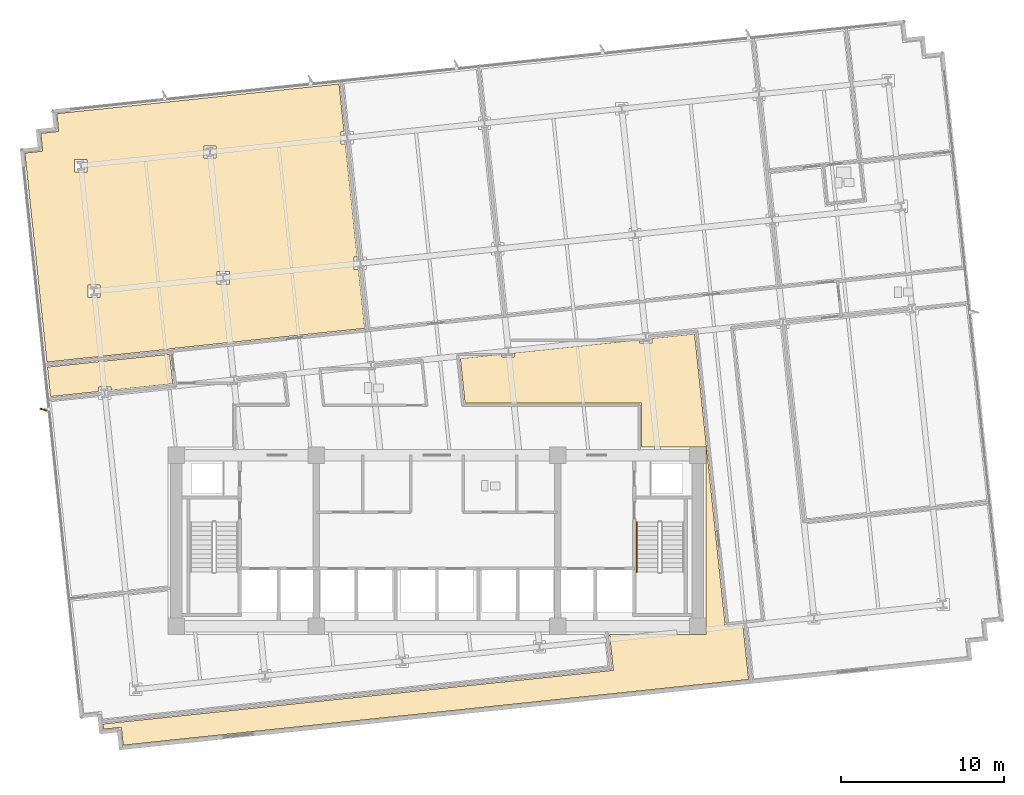
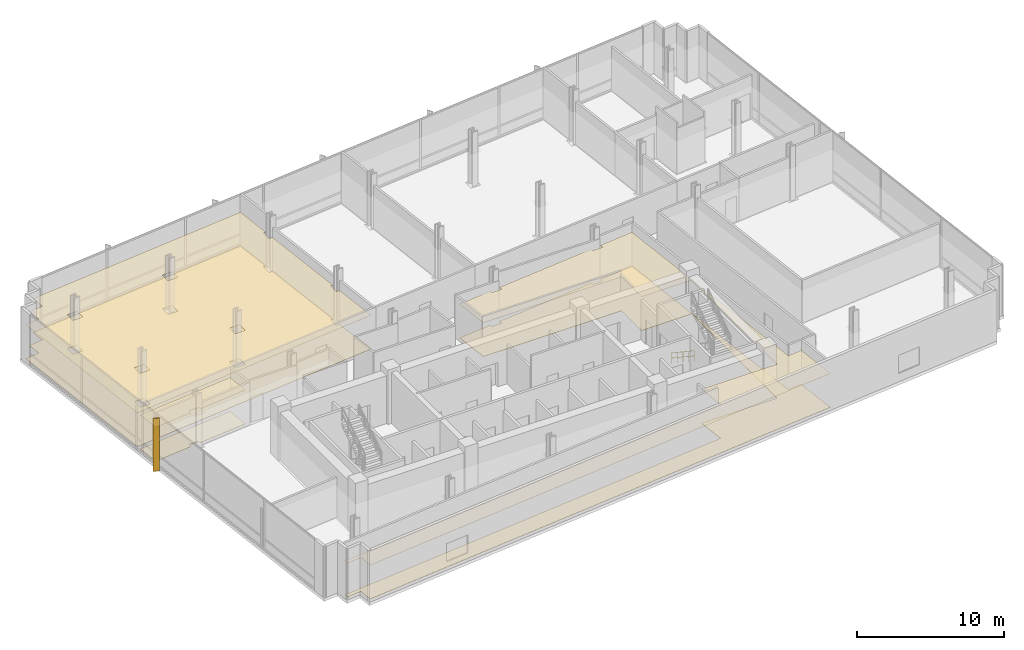
# One storey, part 17 of 20: 6 coverings, 1 railing, 1 shading device.
"""IFC4 building model written with IfcOpenShell, lengths in metres."""

from ifc_helpers import new_model, si_unit, direction, frame, origin, origin_2d, place, context, subcontext, project, spatial, polyline, rectangle, circle, outline, extrude, material, layer, layer_set, type_object, element, save


model = new_model("IFC4")

# Units and contexts
model_context = context("Model", 3, precision=1e-05, world=origin(), true_north=direction((0.0, 1.0)))
body_context = subcontext(model_context, "Body", "Model", "MODEL_VIEW")
ifc_project = project(units=[si_unit("LENGTHUNIT", "METRE"), si_unit("AREAUNIT", "SQUARE_METRE"), si_unit("VOLUMEUNIT", "CUBIC_METRE"), si_unit("PLANEANGLEUNIT", "RADIAN"), si_unit("MASSUNIT", "GRAM", prefix="KILO")], contexts=[model_context])

# Site, building, storey
site_placement = place(None, origin())
site = spatial("IfcSite", under=ifc_project, at=site_placement, CompositionType="ELEMENT")
building_placement = place(site_placement, origin())
building = spatial("IfcBuilding", under=site, at=building_placement, Name="Solmavex Isthmus Hotel", CompositionType="ELEMENT")
storey_placement = place(building_placement, frame((0.0, 0.0, 101.85009765625)))
storey = spatial("IfcBuildingStorey", under=building, at=storey_placement, Name="L27", CompositionType="ELEMENT", Elevation=101.85009765625)

# Coverings
ifc_material_1 = material(Name="Gypsum plasterboard lining", Category="gypsum")
ifc_layer_1 = layer(ifc_material_1, 0.030029296875)
ifc_layer_set_1 = layer_set([ifc_layer_1], Name="Gypsum plasterboard lining")
covering_type_1 = type_object("IfcCoveringType", Name="COV-CEIL-GYP", PredefinedType="CEILING", material=ifc_layer_set_1)
covering_1_placement = place(storey_placement, frame((0.0, 0.0, 2.7998046875)))
element("IfcCovering", 1, at=covering_1_placement, inside=storey, type_object=covering_type_1, Name="Suspended Acoustic Ceiling L27-RM01", PredefinedType="CEILING", context=body_context, shape_type="SweptSolid", body=[
    extrude(outline(polyline([(-16.43212890625, 3.99853515625), (-16.43408203125, 4.0185546875), (-4.434326171875, 5.27978515625), (-4.8134765625, 8.886962890625), (-5.077392578125, 8.886962890625), (-5.077392578125, 9.64697265625), (-4.893310546875, 9.64697265625), (-5.623779296875, 16.5966796875), (-5.8876953125, 16.5966796875), (-5.8876953125, 17.356689453125), (-5.70361328125, 17.356689453125), (-6.009521484375, 20.26708984375), (-22.49755859375, 18.5341796875), (-23.318115234375, 18.447998046875), (-23.203125, 17.35400390625), (-24.297119140625, 17.239013671875), (-24.18212890625, 16.14501953125), (-25.276123046875, 16.030029296875), (-25.18994140625, 15.20947265625), (-23.9287109375, 3.210693359375), (-16.43212890625, 3.99853515625)]), holes=[polyline([(-13.4970703125, 8.002197265625), (-13.4970703125, 8.76220703125), (-12.737060546875, 8.76220703125), (-12.737060546875, 8.002197265625), (-13.4970703125, 8.002197265625)]), polyline([(-14.307373046875, 16.4716796875), (-13.54736328125, 16.4716796875), (-13.54736328125, 15.711669921875), (-14.307373046875, 15.711669921875), (-14.307373046875, 16.4716796875)]), polyline([(-21.42138671875, 7.169189453125), (-21.42138671875, 7.92919921875), (-20.661376953125, 7.92919921875), (-20.661376953125, 7.169189453125), (-21.42138671875, 7.169189453125)]), polyline([(-22.231689453125, 14.878662109375), (-22.231689453125, 15.638671875), (-21.4716796875, 15.638671875), (-21.4716796875, 14.878662109375), (-22.231689453125, 14.878662109375)])]), origin(), (0.0, 0.0, 1.0), 0.030029296875),
])
covering_2_placement = place(storey_placement, frame((0.0, 0.0, 2.7998046875)))
element("IfcCovering", 2, at=covering_2_placement, inside=storey, type_object=covering_type_1, Name="Suspended Acoustic Ceiling L27-FL07", PredefinedType="CEILING", context=body_context, shape_type="SweptSolid", body=[
    extrude(outline(polyline([(-16.20947265625, 1.88037109375), (-16.399658203125, 3.690185546875), (-23.896240234375, 2.90234375), (-23.7060546875, 1.09228515625), (-20.76318359375, 1.401611328125), (-20.76318359375, 1.665771484375), (-20.003173828125, 1.665771484375), (-20.003173828125, 1.4814453125), (-16.20947265625, 1.88037109375)])), origin(), (0.0, 0.0, 1.0), 0.030029296875),
])
covering_3_placement = place(storey_placement, frame((0.0, 0.0, 2.7998046875)))
element("IfcCovering", 3, at=covering_3_placement, inside=storey, type_object=covering_type_1, Name="Suspended Acoustic Ceiling L27-FL11", PredefinedType="CEILING", context=body_context, shape_type="SweptSolid", body=[
    extrude(outline(polyline([(4.760498046875, 3.7724609375), (4.760498046875, 3.508544921875), (4.00048828125, 3.508544921875), (4.00048828125, 3.692626953125), (1.43505859375, 3.423095703125), (1.720703125, 0.705078125), (12.554931640625, 0.705078125), (12.554931640625, -1.9951171875), (16.5048828125, -1.9951171875), (16.5048828125, -13.5048828125), (10.587646484375, -13.5048828125), (10.818359375, -15.700927734375), (-20.4892578125, -18.991455078125), (-20.455810546875, -19.3095703125), (-19.36181640625, -19.194580078125), (-19.246826171875, -20.28857421875), (-18.42626953125, -20.202392578125), (10.812744140625, -17.12939453125), (19.112060546875, -16.257080078125), (18.947265625, -14.690673828125), (18.759765625, -12.905517578125), (17.6845703125, -13.0185546875), (15.7978515625, 4.9326171875), (13.18017578125, 4.657470703125), (13.18017578125, 4.393310546875), (12.420166015625, 4.393310546875), (12.420166015625, 4.57763671875), (4.760498046875, 3.7724609375)])), origin(), (0.0, 0.0, 1.0), 0.030029296875),
])
ifc_material_2 = material(Name="Travertine natural stone", Category="masonry")
ifc_layer_2 = layer(ifc_material_2, 0.02490234375)
ifc_layer_set_2 = layer_set([ifc_layer_2], Name="Travertine natural stone")
covering_type_2 = type_object("IfcCoveringType", Name="COV-FLOR-STN", PredefinedType="FLOORING", material=ifc_layer_set_2)
covering_4_placement = place(storey_placement, origin())
element("IfcCovering", 4, at=covering_4_placement, inside=storey, type_object=covering_type_2, Name="Stone and Timber Floor Finish L27-RM01", PredefinedType="FLOORING", context=body_context, shape_type="SweptSolid", body=[
    extrude(outline(polyline([(-16.43212890625, 3.99853515625), (-16.43408203125, 4.0185546875), (-4.434326171875, 5.27978515625), (-4.8134765625, 8.886962890625), (-5.077392578125, 8.886962890625), (-5.077392578125, 9.64697265625), (-4.893310546875, 9.64697265625), (-5.623779296875, 16.5966796875), (-5.8876953125, 16.5966796875), (-5.8876953125, 17.356689453125), (-5.70361328125, 17.356689453125), (-6.009521484375, 20.26708984375), (-22.49755859375, 18.5341796875), (-23.318115234375, 18.447998046875), (-23.203125, 17.35400390625), (-24.297119140625, 17.239013671875), (-24.18212890625, 16.14501953125), (-25.276123046875, 16.030029296875), (-25.18994140625, 15.20947265625), (-23.9287109375, 3.210693359375), (-16.43212890625, 3.99853515625)]), holes=[polyline([(-13.4970703125, 8.002197265625), (-13.4970703125, 8.76220703125), (-12.737060546875, 8.76220703125), (-12.737060546875, 8.002197265625), (-13.4970703125, 8.002197265625)]), polyline([(-14.307373046875, 16.4716796875), (-13.54736328125, 16.4716796875), (-13.54736328125, 15.711669921875), (-14.307373046875, 15.711669921875), (-14.307373046875, 16.4716796875)]), polyline([(-21.42138671875, 7.169189453125), (-21.42138671875, 7.92919921875), (-20.661376953125, 7.92919921875), (-20.661376953125, 7.169189453125), (-21.42138671875, 7.169189453125)]), polyline([(-22.231689453125, 14.878662109375), (-22.231689453125, 15.638671875), (-21.4716796875, 15.638671875), (-21.4716796875, 14.878662109375), (-22.231689453125, 14.878662109375)])]), origin(), (0.0, 0.0, 1.0), 0.02490234375),
])
covering_5_placement = place(storey_placement, origin())
element("IfcCovering", 5, at=covering_5_placement, inside=storey, type_object=covering_type_2, Name="Stone and Timber Floor Finish L27-FL07", PredefinedType="FLOORING", context=body_context, shape_type="SweptSolid", body=[
    extrude(outline(polyline([(-16.20947265625, 1.88037109375), (-16.399658203125, 3.690185546875), (-23.896240234375, 2.90234375), (-23.7060546875, 1.09228515625), (-20.76318359375, 1.401611328125), (-20.76318359375, 1.665771484375), (-20.003173828125, 1.665771484375), (-20.003173828125, 1.4814453125), (-16.20947265625, 1.88037109375)])), origin(), (0.0, 0.0, 1.0), 0.02490234375),
])
covering_6_placement = place(storey_placement, origin())
element("IfcCovering", 6, at=covering_6_placement, inside=storey, type_object=covering_type_2, Name="Stone and Timber Floor Finish L27-FL11", PredefinedType="FLOORING", context=body_context, shape_type="SweptSolid", body=[
    extrude(outline(polyline([(4.760498046875, 3.7724609375), (4.760498046875, 3.508544921875), (4.00048828125, 3.508544921875), (4.00048828125, 3.692626953125), (1.43505859375, 3.423095703125), (1.720703125, 0.705078125), (12.554931640625, 0.705078125), (12.554931640625, -1.9951171875), (16.5048828125, -1.9951171875), (16.5048828125, -13.5048828125), (10.587646484375, -13.5048828125), (10.818359375, -15.700927734375), (-20.4892578125, -18.991455078125), (-20.455810546875, -19.3095703125), (-19.36181640625, -19.194580078125), (-19.246826171875, -20.28857421875), (-18.42626953125, -20.202392578125), (10.812744140625, -17.12939453125), (19.112060546875, -16.257080078125), (18.947265625, -14.690673828125), (18.759765625, -12.905517578125), (17.6845703125, -13.0185546875), (15.7978515625, 4.9326171875), (13.18017578125, 4.657470703125), (13.18017578125, 4.393310546875), (12.420166015625, 4.393310546875), (12.420166015625, 4.57763671875), (4.760498046875, 3.7724609375)])), origin(), (0.0, 0.0, 1.0), 0.02490234375),
])

# Railing
ifc_material_3 = material(Name="Stainless steel 316", Category="steel")
ifc_layer_3 = layer(ifc_material_3, 0.050048828125)
ifc_layer_set_3 = layer_set([ifc_layer_3], Name="Stainless steel 316")
railing_type = type_object("IfcRailingType", Name="RAIL-STAIR-HR", PredefinedType="HANDRAIL", material=ifc_layer_set_3)
railing_placement = place(storey_placement, frame((12.25, -6.60009765625, 0.1875)))
element("IfcRailing", 7, at=railing_placement, inside=storey, type_object=railing_type, Name="L27 ST-2 stair handrail 1", PredefinedType="HANDRAIL", context=body_context, shape_type="SweptSolid", body=[
    extrude(circle(Radius=0.02392578125, at=origin_2d()), frame((0.0, 0.0, 0.8759765625), z_axis=(0.0, -0.830893310487, 0.556431762742), x_axis=(1.0, 0.0, 0.0)), (0.0, 0.0, 1.0), 3.70654296875),
    extrude(circle(Radius=0.02392578125, at=origin_2d()), frame((0.0, 0.0, 0.449951171875), z_axis=(0.0, -0.830893310487, 0.556431762742), x_axis=(1.0, 0.0, 0.0)), (0.0, 0.0, 1.0), 3.70654296875),
    extrude(circle(Radius=0.02099609375, at=origin_2d()), origin(), (0.0, 0.0, 1.0), 0.851806640625),
    extrude(circle(Radius=0.02099609375, at=origin_2d()), frame((0.0, -0.77001953125, 0.515625)), (0.0, 0.0, 1.0), 0.851806640625),
    extrude(circle(Radius=0.02099609375, at=origin_2d()), frame((0.0, -1.5400390625, 1.03125)), (0.0, 0.0, 1.0), 0.851806640625),
    extrude(circle(Radius=0.02099609375, at=origin_2d()), frame((0.0, -2.309814453125, 1.546875)), (0.0, 0.0, 1.0), 0.851806640625),
    extrude(circle(Radius=0.02099609375, at=origin_2d()), frame((0.0, -3.079833984375, 2.0625)), (0.0, 0.0, 1.0), 0.851806640625),
])

# Shading device
ifc_material_4 = material(Name="Aluminium alloy 6063-T6", Category="aluminium")
shading_device_type = type_object("IfcShadingDeviceType", Name="SHD-FIN-BRONZE", PredefinedType="USERDEFINED", material=ifc_material_4)
shading_device_placement = place(storey_placement, frame((-24.139404296875, 0.28759765625, -0.14013671875), z_axis=(0.0, 0.0, 1.0), x_axis=(-0.951056516295, 0.309016994375, 0.0)))
element("IfcShadingDevice", 8, at=shading_device_placement, inside=storey, type_object=shading_device_type, Name="Anodised Aluminium Solar Fin L27-W1", ObjectType="SOLAR_FIN", PredefinedType="USERDEFINED", context=body_context, shape_type="SweptSolid", body=[
    extrude(rectangle(XDim=0.449951171875, YDim=0.080078125, at=origin_2d()), origin(), (0.0, 0.0, 1.0), 4.3798828125),
])

save(model, "model.ifc")
